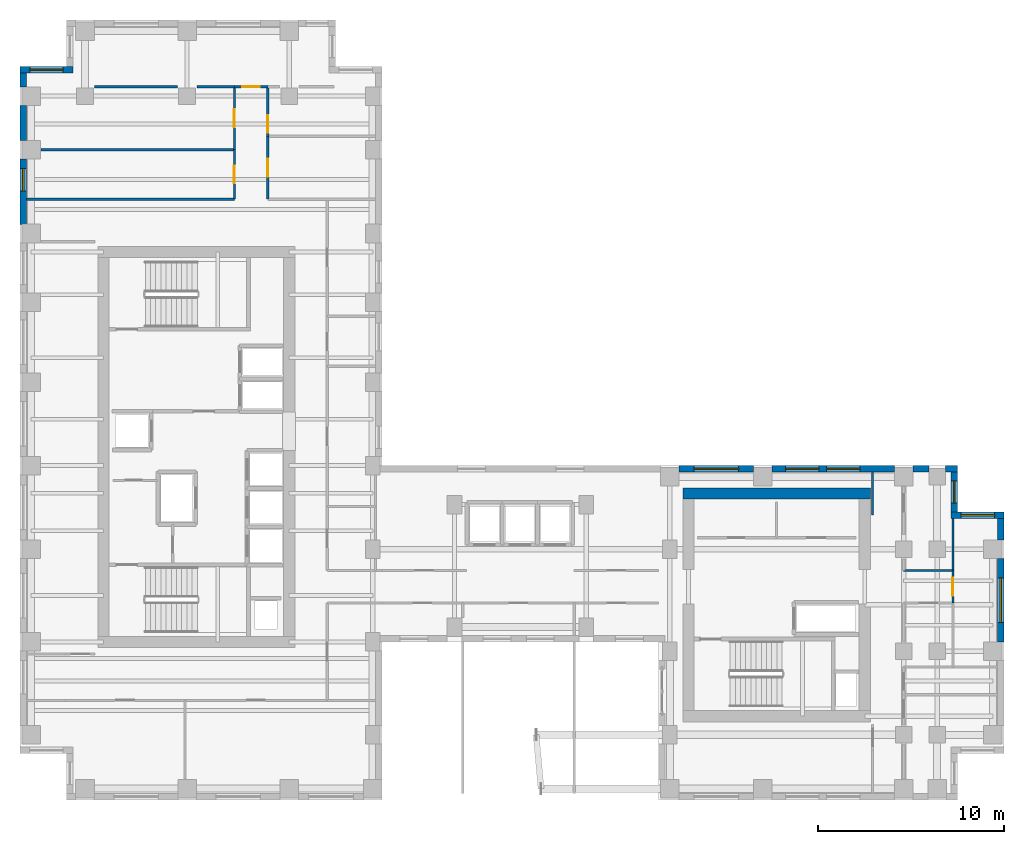
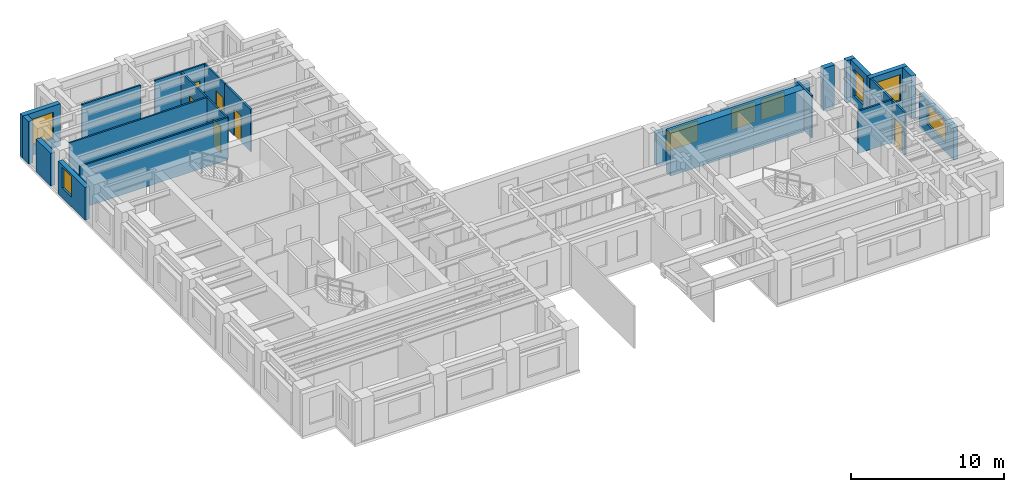
# One storey, part 10 of 13: 26 walls, 8 windows, 6 doors, 14 openings.
"""IFC4 building model written with IfcOpenShell, lengths in metres."""

from ifc_helpers import new_model, si_unit, direction, frame, frame_2d, origin, place, context, subcontext, project, spatial, rectangle, extrude, source, transform, mapped, material, layer, layer_set, type_object, element, fill, save


model = new_model("IFC4")

# Units and contexts
model_context = context("Model", 3, precision=1e-05, world=origin(), true_north=direction((0.0, 1.0)))
body_context = subcontext(model_context, "Body", "Model", "MODEL_VIEW")
ifc_project = project(units=[si_unit("LENGTHUNIT", "METRE"), si_unit("AREAUNIT", "SQUARE_METRE"), si_unit("VOLUMEUNIT", "CUBIC_METRE"), si_unit("PLANEANGLEUNIT", "RADIAN"), si_unit("MASSUNIT", "GRAM", prefix="KILO")], contexts=[model_context])

# Site, building, storey
site_placement = place(None, origin())
site = spatial("IfcSite", under=ifc_project, at=site_placement, CompositionType="ELEMENT")
building_placement = place(site_placement, origin())
building = spatial("IfcBuilding", under=site, at=building_placement, Name="Kharzan Plaza Tower", CompositionType="ELEMENT")
storey_placement = place(building_placement, frame((0.0, 0.0, 161.10009765625)))
storey = spatial("IfcBuildingStorey", under=building, at=storey_placement, Name="L43", CompositionType="ELEMENT", Elevation=161.10009765625)

# Wall, opening, window
ifc_material_1 = material(Name="Concrete C40/50", Category="concrete")
ifc_layer_1 = layer(ifc_material_1, 0.35009765625)
ifc_layer_set_1 = layer_set([ifc_layer_1], Name="Concrete C40/50")
wall_type_1 = type_object("IfcWallType", Name="WL-EXT-MAS-Z3", PredefinedType="SOLIDWALL", material=ifc_layer_set_1)
wall_1_placement = place(storey_placement, frame((2.85009765625, 39.324951171875, 0.0), z_axis=(0.0, 0.0, 1.0), x_axis=(-1.0, 0.0, 0.0)))
wall_1 = element("IfcWall", 1, at=wall_1_placement, inside=storey, type_object=wall_type_1, Name="L43 Masonry-Frame Exterior Wall 08", PredefinedType="SOLIDWALL", context=body_context, shape_type="SweptSolid", body=[
    extrude(rectangle(XDim=2.85009765625, YDim=0.35009765625, at=frame_2d((1.425048828125, 0.0))), origin(), (0.0, 0.0, 1.0), 3.385009765625),
])
opening_1_placement = place(wall_1_placement, frame((0.52490234375, 0.0, 0.780029296875)))
opening_1 = element("IfcOpeningElement", 2, at=opening_1_placement, cuts=wall_1, Name="Opening W1", PredefinedType="OPENING", context=body_context, shape_type="SweptSolid", body=[
    extrude(rectangle(XDim=1.800048828125, YDim=2.10009765625, at=frame_2d((0.89990234375, 1.050048828125))), frame((0.0, 0.18505859375, 0.0), z_axis=(0.0, -1.0, 0.0), x_axis=(1.0, 0.0, 0.0)), (0.0, 0.0, 1.0), 0.3701171875),
])
ifc_material_2 = material(Name="Low-E Double Glazing", Category="glass")
window_type_1 = type_object("IfcWindowType", Name="WN-REC-1800x2100", PartitioningType="SINGLE_PANEL", PredefinedType="WINDOW", material=ifc_material_2)
shared_shape_1 = source(origin(), body_context, "Body", "SweptSolid", [
    extrude(rectangle(XDim=1.800048828125, YDim=2.10009765625, at=frame_2d((0.89990234375, 1.050048828125))), frame((0.0, 0.030029296875, 0.0), z_axis=(0.0, -1.0, 0.0), x_axis=(1.0, 0.0, 0.0)), (0.0, 0.0, 1.0), 0.06005859375),
])
window_1_placement = place(opening_1_placement, origin())
window_1 = element("IfcWindow", 3, at=window_1_placement, inside=storey, type_object=window_type_1, Name="L43 Recessed Solar-Control Window 08-1", OverallHeight=2.10009765625, OverallWidth=1.800048828125, PartitioningType="SINGLE_PANEL", PredefinedType="WINDOW", context=body_context, shape_type="MappedRepresentation", body=[
    mapped(shared_shape_1, transform((0.0, 0.0, 0.0), x_axis=(1.0, 0.0, 0.0), y_axis=(0.0, 1.0, 0.0), z_axis=(0.0, 0.0, 1.0))),
])
fill(opening_1, window_1)

wall_2_placement = place(storey_placement, frame((0.175048828125, 34.501953125, 0.0), z_axis=(0.0, 0.0, 1.0), x_axis=(0.0, -1.0, 0.0)))
wall_2 = element("IfcWall", 4, at=wall_2_placement, inside=storey, type_object=wall_type_1, Name="L43 Masonry-Frame Exterior Wall 11", PredefinedType="SOLIDWALL", context=body_context, shape_type="SweptSolid", body=[
    extrude(rectangle(XDim=3.50390625, YDim=0.35009765625, at=frame_2d((1.751953125, 0.0))), origin(), (0.0, 0.0, 1.0), 2.61181640625),
])
opening_2_placement = place(wall_2_placement, frame((0.510986328125, 0.0, 0.780029296875)))
opening_2 = element("IfcOpeningElement", 5, at=opening_2_placement, cuts=wall_2, Name="Opening W3", PredefinedType="OPENING", context=body_context, shape_type="SweptSolid", body=[
    extrude(rectangle(XDim=1.199951171875, YDim=1.652099609375, at=frame_2d((0.60009765625, 0.826171875))), frame((0.0, 0.18505859375, 0.0), z_axis=(0.0, -1.0, 0.0), x_axis=(1.0, 0.0, 0.0)), (0.0, 0.0, 1.0), 0.3701171875),
])
window_type_2 = type_object("IfcWindowType", Name="WN-REC-1200x2100", PartitioningType="SINGLE_PANEL", PredefinedType="WINDOW", material=ifc_material_2)
shared_shape_2 = source(origin(), body_context, "Body", "SweptSolid", [
    extrude(rectangle(XDim=1.199951171875, YDim=1.652099609375, at=frame_2d((0.60009765625, 0.826171875))), frame((0.0, 0.030029296875, 0.0), z_axis=(0.0, -1.0, 0.0), x_axis=(1.0, 0.0, 0.0)), (0.0, 0.0, 1.0), 0.06005859375),
])
window_2_placement = place(opening_2_placement, origin())
window_2 = element("IfcWindow", 6, at=window_2_placement, inside=storey, type_object=window_type_2, Name="L43 Recessed Solar-Control Window 11-1", OverallHeight=1.652099609375, OverallWidth=1.199951171875, PartitioningType="SINGLE_PANEL", PredefinedType="WINDOW", context=body_context, shape_type="MappedRepresentation", body=[
    mapped(shared_shape_2, transform((0.0, 0.0, 0.0), x_axis=(1.0, 0.0, 0.0), y_axis=(0.0, 1.0, 0.0), z_axis=(0.0, 0.0, 1.0))),
])
fill(opening_2, window_2)

wall_3_placement = place(storey_placement, frame((52.824951171875, 8.498046875, 0.0), z_axis=(0.0, 0.0, 1.0), x_axis=(0.0, 1.0, 0.0)))
wall_3 = element("IfcWall", 7, at=wall_3_placement, inside=storey, type_object=wall_type_1, Name="L43 Masonry-Frame Exterior Wall 39", PredefinedType="SOLIDWALL", context=body_context, shape_type="SweptSolid", body=[
    extrude(rectangle(XDim=4.50390625, YDim=0.35009765625, at=frame_2d((2.251953125, 0.0))), origin(), (0.0, 0.0, 1.0), 2.61181640625),
])
opening_3_placement = place(wall_3_placement, frame((1.052001953125, 0.0, 0.780029296875)))
opening_3 = element("IfcOpeningElement", 8, at=opening_3_placement, cuts=wall_3, Name="Opening W2", PredefinedType="OPENING", context=body_context, shape_type="SweptSolid", body=[
    extrude(rectangle(XDim=2.39990234375, YDim=1.652099609375, at=frame_2d((1.199951171875, 0.826171875))), frame((0.0, 0.18505859375, 0.0), z_axis=(0.0, -1.0, 0.0), x_axis=(1.0, 0.0, 0.0)), (0.0, 0.0, 1.0), 0.3701171875),
])
window_type_3 = type_object("IfcWindowType", Name="WN-REC-2400x2100", PartitioningType="SINGLE_PANEL", PredefinedType="WINDOW", material=ifc_material_2)
shared_shape_3 = source(origin(), body_context, "Body", "SweptSolid", [
    extrude(rectangle(XDim=2.39990234375, YDim=1.652099609375, at=frame_2d((1.199951171875, 0.826171875))), frame((0.0, 0.030029296875, 0.0), z_axis=(0.0, -1.0, 0.0), x_axis=(1.0, 0.0, 0.0)), (0.0, 0.0, 1.0), 0.06005859375),
])
window_3_placement = place(opening_3_placement, origin())
window_3 = element("IfcWindow", 9, at=window_3_placement, inside=storey, type_object=window_type_3, Name="L43 Wide Recessed Solar-Control Window 39-1", OverallHeight=1.652099609375, OverallWidth=2.39990234375, PartitioningType="SINGLE_PANEL", PredefinedType="WINDOW", context=body_context, shape_type="MappedRepresentation", body=[
    mapped(shared_shape_3, transform((0.0, 0.0, 0.0), x_axis=(1.0, 0.0, 0.0), y_axis=(0.0, 1.0, 0.0), z_axis=(0.0, 0.0, 1.0))),
])
fill(opening_3, window_3)

wall_4_placement = place(storey_placement, frame((53.0, 15.324951171875, 0.0), z_axis=(0.0, 0.0, 1.0), x_axis=(-1.0, 0.0, 0.0)))
wall_4 = element("IfcWall", 10, at=wall_4_placement, inside=storey, type_object=wall_type_1, Name="L43 Masonry-Frame Exterior Wall 41", PredefinedType="SOLIDWALL", context=body_context, shape_type="SweptSolid", body=[
    extrude(rectangle(XDim=2.85009765625, YDim=0.35009765625, at=frame_2d((1.425048828125, 0.0))), origin(), (0.0, 0.0, 1.0), 3.385009765625),
])
opening_4_placement = place(wall_4_placement, frame((0.510009765625, 0.0, 0.780029296875)))
opening_4 = element("IfcOpeningElement", 11, at=opening_4_placement, cuts=wall_4, Name="Opening W1", PredefinedType="OPENING", context=body_context, shape_type="SweptSolid", body=[
    extrude(rectangle(XDim=1.800048828125, YDim=2.10009765625, at=frame_2d((0.89990234375, 1.050048828125))), frame((0.0, 0.18505859375, 0.0), z_axis=(0.0, -1.0, 0.0), x_axis=(1.0, 0.0, 0.0)), (0.0, 0.0, 1.0), 0.3701171875),
])
window_4_placement = place(opening_4_placement, origin())
window_4 = element("IfcWindow", 12, at=window_4_placement, inside=storey, type_object=window_type_1, Name="L43 Recessed Solar-Control Window 41-1", OverallHeight=2.10009765625, OverallWidth=1.800048828125, PartitioningType="SINGLE_PANEL", PredefinedType="WINDOW", context=body_context, shape_type="MappedRepresentation", body=[
    mapped(shared_shape_1, transform((0.0, 0.0, 0.0), x_axis=(1.0, 0.0, 0.0), y_axis=(0.0, 1.0, 0.0), z_axis=(0.0, 0.0, 1.0))),
])
fill(opening_4, window_4)

wall_5_placement = place(storey_placement, frame((50.324951171875, 15.498046875, 0.0), z_axis=(0.0, 0.0, 1.0), x_axis=(0.0, 1.0, 0.0)))
wall_5 = element("IfcWall", 13, at=wall_5_placement, inside=storey, type_object=wall_type_1, Name="L43 Masonry-Frame Exterior Wall 42", PredefinedType="SOLIDWALL", context=body_context, shape_type="SweptSolid", body=[
    extrude(rectangle(XDim=2.154052734375, YDim=0.35009765625, at=frame_2d((1.0771484375, 0.0))), origin(), (0.0, 0.0, 1.0), 3.385009765625),
])
opening_5_placement = place(wall_5_placement, frame((0.47705078125, 0.0, 0.780029296875)))
opening_5 = element("IfcOpeningElement", 14, at=opening_5_placement, cuts=wall_5, Name="Opening W3", PredefinedType="OPENING", context=body_context, shape_type="SweptSolid", body=[
    extrude(rectangle(XDim=1.199951171875, YDim=2.10009765625, at=frame_2d((0.60009765625, 1.050048828125))), frame((0.0, 0.18505859375, 0.0), z_axis=(0.0, -1.0, 0.0), x_axis=(1.0, 0.0, 0.0)), (0.0, 0.0, 1.0), 0.3701171875),
])
shared_shape_4 = source(origin(), body_context, "Body", "SweptSolid", [
    extrude(rectangle(XDim=1.199951171875, YDim=2.10009765625, at=frame_2d((0.60009765625, 1.050048828125))), frame((0.0, 0.030029296875, 0.0), z_axis=(0.0, -1.0, 0.0), x_axis=(1.0, 0.0, 0.0)), (0.0, 0.0, 1.0), 0.06005859375),
])
window_5_placement = place(opening_5_placement, origin())
window_5 = element("IfcWindow", 15, at=window_5_placement, inside=storey, type_object=window_type_2, Name="L43 Recessed Solar-Control Window 42-1", OverallHeight=2.10009765625, OverallWidth=1.199951171875, PartitioningType="SINGLE_PANEL", PredefinedType="WINDOW", context=body_context, shape_type="MappedRepresentation", body=[
    mapped(shared_shape_4, transform((0.0, 0.0, 0.0), x_axis=(1.0, 0.0, 0.0), y_axis=(0.0, 1.0, 0.0), z_axis=(0.0, 0.0, 1.0))),
])
fill(opening_5, window_5)

# Wall, openings, windows
wall_6_placement = place(storey_placement, frame((47.10205078125, 17.824951171875, 0.0), z_axis=(0.0, 0.0, 1.0), x_axis=(-1.0, 0.0, 0.0)))
wall_6 = element("IfcWall", 16, at=wall_6_placement, inside=storey, type_object=wall_type_1, Name="L43 Masonry-Frame Exterior Wall 45", PredefinedType="SOLIDWALL", context=body_context, shape_type="SweptSolid", body=[
    extrude(rectangle(XDim=6.60400390625, YDim=0.35009765625, at=frame_2d((3.302001953125, 0.0))), origin(), (0.0, 0.0, 1.0), 2.61181640625),
])
opening_6_placement = place(wall_6_placement, frame((1.849365234375, 0.0, 0.780029296875)))
opening_6 = element("IfcOpeningElement", 17, at=opening_6_placement, cuts=wall_6, Name="Opening W1", PredefinedType="OPENING", context=body_context, shape_type="SweptSolid", body=[
    extrude(rectangle(XDim=1.800048828125, YDim=1.652099609375, at=frame_2d((0.89990234375, 0.826171875))), frame((0.0, 0.18505859375, 0.0), z_axis=(0.0, -1.0, 0.0), x_axis=(1.0, 0.0, 0.0)), (0.0, 0.0, 1.0), 0.3701171875),
])
opening_7_placement = place(wall_6_placement, frame((4.066650390625, 0.0, 0.780029296875)))
opening_7 = element("IfcOpeningElement", 18, at=opening_7_placement, cuts=wall_6, Name="Opening W1", PredefinedType="OPENING", context=body_context, shape_type="SweptSolid", body=[
    extrude(rectangle(XDim=1.800048828125, YDim=1.652099609375, at=frame_2d((0.89990234375, 0.826171875))), frame((0.0, 0.18505859375, 0.0), z_axis=(0.0, -1.0, 0.0), x_axis=(1.0, 0.0, 0.0)), (0.0, 0.0, 1.0), 0.3701171875),
])
shared_shape_5 = source(origin(), body_context, "Body", "SweptSolid", [
    extrude(rectangle(XDim=1.800048828125, YDim=1.652099609375, at=frame_2d((0.89990234375, 0.826171875))), frame((0.0, 0.030029296875, 0.0), z_axis=(0.0, -1.0, 0.0), x_axis=(1.0, 0.0, 0.0)), (0.0, 0.0, 1.0), 0.06005859375),
])
window_6_placement = place(opening_6_placement, origin())
window_6 = element("IfcWindow", 19, at=window_6_placement, inside=storey, type_object=window_type_1, Name="L43 Recessed Solar-Control Window 45-1", OverallHeight=1.652099609375, OverallWidth=1.800048828125, PartitioningType="SINGLE_PANEL", PredefinedType="WINDOW", context=body_context, shape_type="MappedRepresentation", body=[
    mapped(shared_shape_5, transform((0.0, 0.0, 0.0), x_axis=(1.0, 0.0, 0.0), y_axis=(0.0, 1.0, 0.0), z_axis=(0.0, 0.0, 1.0))),
])
fill(opening_6, window_6)
window_7_placement = place(opening_7_placement, origin())
window_7 = element("IfcWindow", 20, at=window_7_placement, inside=storey, type_object=window_type_1, Name="L43 Recessed Solar-Control Window 45-2", OverallHeight=1.652099609375, OverallWidth=1.800048828125, PartitioningType="SINGLE_PANEL", PredefinedType="WINDOW", context=body_context, shape_type="MappedRepresentation", body=[
    mapped(shared_shape_5, transform((0.0, 0.0, 0.0), x_axis=(1.0, 0.0, 0.0), y_axis=(0.0, 1.0, 0.0), z_axis=(0.0, 0.0, 1.0))),
])
fill(opening_7, window_7)

# Wall, opening, window
wall_7_placement = place(storey_placement, frame((39.501953125, 17.824951171875, 0.0), z_axis=(0.0, 0.0, 1.0), x_axis=(-1.0, 0.0, 0.0)))
wall_7 = element("IfcWall", 21, at=wall_7_placement, inside=storey, type_object=wall_type_1, Name="L43 Masonry-Frame Exterior Wall 46", PredefinedType="SOLIDWALL", context=body_context, shape_type="SweptSolid", body=[
    extrude(rectangle(XDim=4.00390625, YDim=0.35009765625, at=frame_2d((2.001953125, 0.0))), origin(), (0.0, 0.0, 1.0), 2.61181640625),
])
opening_8_placement = place(wall_7_placement, frame((0.802001953125, 0.0, 0.780029296875)))
opening_8 = element("IfcOpeningElement", 22, at=opening_8_placement, cuts=wall_7, Name="Opening W2", PredefinedType="OPENING", context=body_context, shape_type="SweptSolid", body=[
    extrude(rectangle(XDim=2.39990234375, YDim=1.652099609375, at=frame_2d((1.199951171875, 0.826171875))), frame((0.0, 0.18505859375, 0.0), z_axis=(0.0, -1.0, 0.0), x_axis=(1.0, 0.0, 0.0)), (0.0, 0.0, 1.0), 0.3701171875),
])
window_8_placement = place(opening_8_placement, origin())
window_8 = element("IfcWindow", 23, at=window_8_placement, inside=storey, type_object=window_type_3, Name="L43 Wide Recessed Solar-Control Window 46-1", OverallHeight=1.652099609375, OverallWidth=2.39990234375, PartitioningType="SINGLE_PANEL", PredefinedType="WINDOW", context=body_context, shape_type="MappedRepresentation", body=[
    mapped(shared_shape_3, transform((0.0, 0.0, 0.0), x_axis=(1.0, 0.0, 0.0), y_axis=(0.0, 1.0, 0.0), z_axis=(0.0, 0.0, 1.0))),
])
fill(opening_8, window_8)

# Wall, opening, door
ifc_material_3 = material(Name="Fire-Rated Gypsum Board Partition", Category="gypsum")
ifc_layer_2 = layer(ifc_material_3, 0.125)
ifc_layer_set_2 = layer_set([ifc_layer_2], Name="Fire-Rated Gypsum Board Partition")
wall_type_2 = type_object("IfcWallType", Name="WL-INT-PART-125", PredefinedType="PARTITIONING", material=ifc_layer_set_2)
wall_8_placement = place(storey_placement, frame((50.25, 10.60009765625, 0.0), z_axis=(0.0, 0.0, 1.0), x_axis=(0.0, 1.0, 0.0)))
wall_8 = element("IfcWall", 24, at=wall_8_placement, inside=storey, type_object=wall_type_2, Name="L43 Interior Partition SH-B2E2", PredefinedType="PARTITIONING", context=body_context, shape_type="SweptSolid", body=[
    extrude(rectangle(XDim=1.75, YDim=0.125, at=frame_2d((0.875, 0.0))), origin(), (0.0, 0.0, 1.0), 3.385009765625),
])
opening_9_placement = place(wall_8_placement, frame((0.39990234375, 0.0, 0.0)))
opening_9 = element("IfcOpeningElement", 25, at=opening_9_placement, cuts=wall_8, Name="Opening OD1", PredefinedType="OPENING", context=body_context, shape_type="SweptSolid", body=[
    extrude(rectangle(XDim=0.949951171875, YDim=2.14990234375, at=frame_2d((0.47509765625, 1.074951171875))), frame((0.0, 0.072509765625, 0.0), z_axis=(0.0, -1.0, 0.0), x_axis=(1.0, 0.0, 0.0)), (0.0, 0.0, 1.0), 0.14501953125),
])
ifc_material_4 = material(Name="Acoustic Solid-Core Stained Oak", Category="timber")
door_type = type_object("IfcDoorType", Name="DR-OFF-SINGLE", OperationType="NOTDEFINED", PredefinedType="DOOR", material=ifc_material_4)
shared_shape_6 = source(origin(), body_context, "Body", "SweptSolid", [
    extrude(rectangle(XDim=0.949951171875, YDim=2.14990234375, at=frame_2d((0.47509765625, 1.074951171875))), frame((0.0, 0.02490234375, 0.0), z_axis=(0.0, -1.0, 0.0), x_axis=(1.0, 0.0, 0.0)), (0.0, 0.0, 1.0), 0.050048828125),
])
door_1_placement = place(opening_9_placement, origin())
door_1 = element("IfcDoor", 26, at=door_1_placement, inside=storey, type_object=door_type, Name="L43 East Boardroom Door", OperationType="SINGLE_SWING_LEFT", OverallHeight=2.14990234375, OverallWidth=0.949951171875, PredefinedType="DOOR", context=body_context, shape_type="MappedRepresentation", body=[
    mapped(shared_shape_6, transform((0.0, 0.0, 0.0), x_axis=(1.0, 0.0, 0.0), y_axis=(0.0, 1.0, 0.0), z_axis=(0.0, 0.0, 1.0))),
])
fill(opening_9, door_1)

wall_9_placement = place(storey_placement, frame((13.35009765625, 32.35009765625, 0.0), z_axis=(0.0, 0.0, 1.0), x_axis=(0.0, 1.0, 0.0)))
wall_9 = element("IfcWall", 27, at=wall_9_placement, inside=storey, type_object=wall_type_2, Name="L43 Interior Partition SH-SPE-1", PredefinedType="PARTITIONING", context=body_context, shape_type="SweptSolid", body=[
    extrude(rectangle(XDim=3.387939453125, YDim=0.125, at=frame_2d((1.69384765625, 0.0))), origin(), (0.0, 0.0, 1.0), 3.385009765625),
])
opening_10_placement = place(wall_9_placement, frame((1.218994140625, 0.0, 0.0)))
opening_10 = element("IfcOpeningElement", 28, at=opening_10_placement, cuts=wall_9, Name="Opening OD1", PredefinedType="OPENING", context=body_context, shape_type="SweptSolid", body=[
    extrude(rectangle(XDim=0.949951171875, YDim=2.14990234375, at=frame_2d((0.47509765625, 1.074951171875))), frame((0.0, 0.072509765625, 0.0), z_axis=(0.0, -1.0, 0.0), x_axis=(1.0, 0.0, 0.0)), (0.0, 0.0, 1.0), 0.14501953125),
])
door_2_placement = place(opening_10_placement, origin())
door_2 = element("IfcDoor", 29, at=door_2_placement, inside=storey, type_object=door_type, Name="L43 Instrumentation Calibration Lab Door", OperationType="SINGLE_SWING_RIGHT", OverallHeight=2.14990234375, OverallWidth=0.949951171875, PredefinedType="DOOR", context=body_context, shape_type="MappedRepresentation", body=[
    mapped(shared_shape_6, transform((0.0, 0.0, 0.0), x_axis=(1.0, 0.0, 0.0), y_axis=(0.0, 1.0, 0.0), z_axis=(0.0, 0.0, 1.0))),
])
fill(opening_10, door_2)

wall_10_placement = place(storey_placement, frame((13.35009765625, 35.738037109375, 0.0), z_axis=(0.0, 0.0, 1.0), x_axis=(0.0, 1.0, 0.0)))
wall_10 = element("IfcWall", 30, at=wall_10_placement, inside=storey, type_object=wall_type_2, Name="L43 Interior Partition SH-SPE-2", PredefinedType="PARTITIONING", context=body_context, shape_type="SweptSolid", body=[
    extrude(rectangle(XDim=2.661865234375, YDim=0.125, at=frame_2d((1.3310546875, 0.0))), origin(), (0.0, 0.0, 1.0), 3.385009765625),
])
opening_11_placement = place(wall_10_placement, frame((0.179931640625, 0.0, 0.0)))
opening_11 = element("IfcOpeningElement", 31, at=opening_11_placement, cuts=wall_10, Name="Opening OD1", PredefinedType="OPENING", context=body_context, shape_type="SweptSolid", body=[
    extrude(rectangle(XDim=0.949951171875, YDim=2.14990234375, at=frame_2d((0.47509765625, 1.074951171875))), frame((0.0, 0.072509765625, 0.0), z_axis=(0.0, -1.0, 0.0), x_axis=(1.0, 0.0, 0.0)), (0.0, 0.0, 1.0), 0.14501953125),
])
door_3_placement = place(opening_11_placement, origin())
door_3 = element("IfcDoor", 32, at=door_3_placement, inside=storey, type_object=door_type, Name="L43 Research Engineering Office Door", OperationType="SINGLE_SWING_LEFT", OverallHeight=2.14990234375, OverallWidth=0.949951171875, PredefinedType="DOOR", context=body_context, shape_type="MappedRepresentation", body=[
    mapped(shared_shape_6, transform((0.0, 0.0, 0.0), x_axis=(1.0, 0.0, 0.0), y_axis=(0.0, 1.0, 0.0), z_axis=(0.0, 0.0, 1.0))),
])
fill(opening_11, door_3)

wall_11_placement = place(storey_placement, frame((11.550048828125, 38.39990234375, 0.0), z_axis=(0.0, 0.0, 1.0), x_axis=(1.0, 0.0, 0.0)))
wall_11 = element("IfcWall", 33, at=wall_11_placement, inside=storey, type_object=wall_type_2, Name="L43 Interior Partition SH-SPHD", PredefinedType="PARTITIONING", context=body_context, shape_type="SweptSolid", body=[
    extrude(rectangle(XDim=1.800048828125, YDim=0.125, at=frame_2d((0.89990234375, 0.0))), origin(), (0.0, 0.0, 1.0), 3.385009765625),
])
opening_12_placement = place(wall_11_placement, frame((0.425048828125, 0.0, 0.0)))
opening_12 = element("IfcOpeningElement", 34, at=opening_12_placement, cuts=wall_11, Name="Opening OD1", PredefinedType="OPENING", context=body_context, shape_type="SweptSolid", body=[
    extrude(rectangle(XDim=0.949951171875, YDim=2.14990234375, at=frame_2d((0.47509765625, 1.074951171875))), frame((0.0, 0.072509765625, 0.0), z_axis=(0.0, -1.0, 0.0), x_axis=(1.0, 0.0, 0.0)), (0.0, 0.0, 1.0), 0.14501953125),
])
door_4_placement = place(opening_12_placement, origin())
door_4 = element("IfcDoor", 35, at=door_4_placement, inside=storey, type_object=door_type, Name="L43 North Boardroom Door", OperationType="SINGLE_SWING_RIGHT", OverallHeight=2.14990234375, OverallWidth=0.949951171875, PredefinedType="DOOR", context=body_context, shape_type="MappedRepresentation", body=[
    mapped(shared_shape_6, transform((0.0, 0.0, 0.0), x_axis=(1.0, 0.0, 0.0), y_axis=(0.0, 1.0, 0.0), z_axis=(0.0, 0.0, 1.0))),
])
fill(opening_12, door_4)

wall_12_placement = place(storey_placement, frame((11.550048828125, 32.35009765625, 0.0), z_axis=(0.0, 0.0, 1.0), x_axis=(0.0, 1.0, 0.0)))
wall_12 = element("IfcWall", 36, at=wall_12_placement, inside=storey, type_object=wall_type_2, Name="L43 Interior Partition SH-SPW-1", PredefinedType="PARTITIONING", context=body_context, shape_type="SweptSolid", body=[
    extrude(rectangle(XDim=2.661865234375, YDim=0.125, at=frame_2d((1.3310546875, 0.0))), origin(), (0.0, 0.0, 1.0), 3.385009765625),
])
opening_13_placement = place(wall_12_placement, frame((0.85595703125, 0.0, 0.0)))
opening_13 = element("IfcOpeningElement", 37, at=opening_13_placement, cuts=wall_12, Name="Opening OD1", PredefinedType="OPENING", context=body_context, shape_type="SweptSolid", body=[
    extrude(rectangle(XDim=0.949951171875, YDim=2.14990234375, at=frame_2d((0.47509765625, 1.074951171875))), frame((0.0, 0.072509765625, 0.0), z_axis=(0.0, -1.0, 0.0), x_axis=(1.0, 0.0, 0.0)), (0.0, 0.0, 1.0), 0.14501953125),
])
door_5_placement = place(opening_13_placement, origin())
door_5 = element("IfcDoor", 38, at=door_5_placement, inside=storey, type_object=door_type, Name="L43 Hydrodynamics Computing Lab Door", OperationType="SINGLE_SWING_RIGHT", OverallHeight=2.14990234375, OverallWidth=0.949951171875, PredefinedType="DOOR", context=body_context, shape_type="MappedRepresentation", body=[
    mapped(shared_shape_6, transform((0.0, 0.0, 0.0), x_axis=(1.0, 0.0, 0.0), y_axis=(0.0, 1.0, 0.0), z_axis=(0.0, 0.0, 1.0))),
])
fill(opening_13, door_5)

wall_13_placement = place(storey_placement, frame((11.550048828125, 35.011962890625, 0.0), z_axis=(0.0, 0.0, 1.0), x_axis=(0.0, 1.0, 0.0)))
wall_13 = element("IfcWall", 39, at=wall_13_placement, inside=storey, type_object=wall_type_2, Name="L43 Interior Partition SH-SPW-2", PredefinedType="PARTITIONING", context=body_context, shape_type="SweptSolid", body=[
    extrude(rectangle(XDim=3.387939453125, YDim=0.125, at=frame_2d((1.69384765625, 0.0))), origin(), (0.0, 0.0, 1.0), 3.385009765625),
])
opening_14_placement = place(wall_13_placement, frame((1.218994140625, 0.0, 0.0)))
opening_14 = element("IfcOpeningElement", 40, at=opening_14_placement, cuts=wall_13, Name="Opening OD1", PredefinedType="OPENING", context=body_context, shape_type="SweptSolid", body=[
    extrude(rectangle(XDim=0.949951171875, YDim=2.14990234375, at=frame_2d((0.47509765625, 1.074951171875))), frame((0.0, 0.072509765625, 0.0), z_axis=(0.0, -1.0, 0.0), x_axis=(1.0, 0.0, 0.0)), (0.0, 0.0, 1.0), 0.14501953125),
])
door_6_placement = place(opening_14_placement, origin())
door_6 = element("IfcDoor", 41, at=door_6_placement, inside=storey, type_object=door_type, Name="L43 Hydrodynamics Computing Lab Door", OperationType="SINGLE_SWING_LEFT", OverallHeight=2.14990234375, OverallWidth=0.949951171875, PredefinedType="DOOR", context=body_context, shape_type="MappedRepresentation", body=[
    mapped(shared_shape_6, transform((0.0, 0.0, 0.0), x_axis=(1.0, 0.0, 0.0), y_axis=(0.0, 1.0, 0.0), z_axis=(0.0, 0.0, 1.0))),
])
fill(opening_14, door_6)

# Walls
ifc_material_5 = material(Name="Concrete C50/60", Category="concrete")
ifc_layer_3 = layer(ifc_material_5, 0.60009765625)
ifc_layer_set_3 = layer_set([ifc_layer_3], Name="Concrete C50/60")
wall_type_3 = type_object("IfcWallType", Name="WL-CORE-600", PredefinedType="SHEAR", material=ifc_layer_set_3)
shared_shape_7 = source(origin(), body_context, "Body", "SweptSolid", [
    extrude(rectangle(XDim=10.10009765625, YDim=0.60009765625, at=frame_2d((5.050048828125, 0.0))), origin(), (0.0, 0.0, 1.0), 3.39990234375),
])
wall_14_placement = place(storey_placement, frame((35.699951171875, 16.5, 0.0), z_axis=(0.0, 0.0, 1.0), x_axis=(1.0, 0.0, 0.0)))
element("IfcWall", 42, at=wall_14_placement, inside=storey, type_object=wall_type_3, Name="L43 CORE-B north RC shear wall", PredefinedType="SHEAR", context=body_context, shape_type="MappedRepresentation", body=[
    mapped(shared_shape_7, transform((0.0, 0.0, 0.0), x_axis=(1.0, 0.0, 0.0), y_axis=(0.0, 1.0, 0.0), z_axis=(0.0, 0.0, 1.0))),
])
shared_shape_8 = source(origin(), body_context, "Body", "SweptSolid", [
    extrude(rectangle(XDim=0.754150390625, YDim=0.35009765625, at=frame_2d((0.376953125, 0.0))), origin(), (0.0, 0.0, 1.0), 3.385009765625),
])
wall_15_placement = place(storey_placement, frame((0.175048828125, 39.152099609375, 0.0), z_axis=(0.0, 0.0, 1.0), x_axis=(0.0, -1.0, 0.0)))
element("IfcWall", 43, at=wall_15_placement, inside=storey, type_object=wall_type_1, Name="L43 Masonry-Frame Exterior Wall 09", PredefinedType="SOLIDWALL", context=body_context, shape_type="MappedRepresentation", body=[
    mapped(shared_shape_8, transform((0.0, 0.0, 0.0), x_axis=(1.0, 0.0, 0.0), y_axis=(0.0, 1.0, 0.0), z_axis=(0.0, 0.0, 1.0))),
])
shared_shape_9 = source(origin(), body_context, "Body", "SweptSolid", [
    extrude(rectangle(XDim=1.904052734375, YDim=0.35009765625, at=frame_2d((0.9521484375, 0.0))), origin(), (0.0, 0.0, 1.0), 2.61181640625),
])
wall_16_placement = place(storey_placement, frame((0.175048828125, 37.402099609375, 0.0), z_axis=(0.0, 0.0, 1.0), x_axis=(0.0, -1.0, 0.0)))
element("IfcWall", 44, at=wall_16_placement, inside=storey, type_object=wall_type_1, Name="L43 Masonry-Frame Exterior Wall 10", PredefinedType="SOLIDWALL", context=body_context, shape_type="MappedRepresentation", body=[
    mapped(shared_shape_9, transform((0.0, 0.0, 0.0), x_axis=(1.0, 0.0, 0.0), y_axis=(0.0, 1.0, 0.0), z_axis=(0.0, 0.0, 1.0))),
])
shared_shape_10 = source(origin(), body_context, "Body", "SweptSolid", [
    extrude(rectangle(XDim=1.154052734375, YDim=0.35009765625, at=frame_2d((0.5771484375, 0.0))), origin(), (0.0, 0.0, 1.0), 3.385009765625),
])
wall_17_placement = place(storey_placement, frame((52.824951171875, 13.998046875, 0.0), z_axis=(0.0, 0.0, 1.0), x_axis=(0.0, 1.0, 0.0)))
element("IfcWall", 45, at=wall_17_placement, inside=storey, type_object=wall_type_1, Name="L43 Masonry-Frame Exterior Wall 40", PredefinedType="SOLIDWALL", context=body_context, shape_type="MappedRepresentation", body=[
    mapped(shared_shape_10, transform((0.0, 0.0, 0.0), x_axis=(1.0, 0.0, 0.0), y_axis=(0.0, 1.0, 0.0), z_axis=(0.0, 0.0, 1.0))),
])
shared_shape_11 = source(origin(), body_context, "Body", "SweptSolid", [
    extrude(rectangle(XDim=0.652099609375, YDim=0.35009765625, at=frame_2d((0.326171875, 0.0))), origin(), (0.0, 0.0, 1.0), 3.385009765625),
])
wall_18_placement = place(storey_placement, frame((50.5, 17.824951171875, 0.0), z_axis=(0.0, 0.0, 1.0), x_axis=(-1.0, 0.0, 0.0)))
element("IfcWall", 46, at=wall_18_placement, inside=storey, type_object=wall_type_1, Name="L43 Masonry-Frame Exterior Wall 43", PredefinedType="SOLIDWALL", context=body_context, shape_type="MappedRepresentation", body=[
    mapped(shared_shape_11, transform((0.0, 0.0, 0.0), x_axis=(1.0, 0.0, 0.0), y_axis=(0.0, 1.0, 0.0), z_axis=(0.0, 0.0, 1.0))),
])
shared_shape_12 = source(origin(), body_context, "Body", "SweptSolid", [
    extrude(rectangle(XDim=0.85400390625, YDim=0.35009765625, at=frame_2d((0.427001953125, 0.0))), origin(), (0.0, 0.0, 1.0), 3.385009765625),
])
wall_19_placement = place(storey_placement, frame((48.951904296875, 17.824951171875, 0.0), z_axis=(0.0, 0.0, 1.0), x_axis=(-1.0, 0.0, 0.0)))
element("IfcWall", 47, at=wall_19_placement, inside=storey, type_object=wall_type_1, Name="L43 Masonry-Frame Exterior Wall 44", PredefinedType="SOLIDWALL", context=body_context, shape_type="MappedRepresentation", body=[
    mapped(shared_shape_12, transform((0.0, 0.0, 0.0), x_axis=(1.0, 0.0, 0.0), y_axis=(0.0, 1.0, 0.0), z_axis=(0.0, 0.0, 1.0))),
])
shared_shape_13 = source(origin(), body_context, "Body", "SweptSolid", [
    extrude(rectangle(XDim=2.2978515625, YDim=0.125, at=frame_2d((1.14892578125, 0.0))), origin(), (0.0, 0.0, 1.0), 3.385009765625),
])
wall_20_placement = place(storey_placement, frame((45.919921875, 15.35009765625, 0.0), z_axis=(0.0, 0.0, 1.0), x_axis=(0.0, 1.0, 0.0)))
element("IfcWall", 48, at=wall_20_placement, inside=storey, type_object=wall_type_2, Name="L43 Interior Partition SH-RBNE0", PredefinedType="PARTITIONING", context=body_context, shape_type="MappedRepresentation", body=[
    mapped(shared_shape_13, transform((0.0, 0.0, 0.0), x_axis=(1.0, 0.0, 0.0), y_axis=(0.0, 1.0, 0.0), z_axis=(0.0, 0.0, 1.0))),
])
shared_shape_14 = source(origin(), body_context, "Body", "SweptSolid", [
    extrude(rectangle(XDim=2.64990234375, YDim=0.125, at=frame_2d((1.324951171875, 0.0))), origin(), (0.0, 0.0, 1.0), 3.385009765625),
])
wall_21_placement = place(storey_placement, frame((47.60009765625, 12.35009765625, 0.0), z_axis=(0.0, 0.0, 1.0), x_axis=(1.0, 0.0, 0.0)))
element("IfcWall", 49, at=wall_21_placement, inside=storey, type_object=wall_type_2, Name="L43 Interior Partition SH-B2N3", PredefinedType="PARTITIONING", context=body_context, shape_type="MappedRepresentation", body=[
    mapped(shared_shape_14, transform((0.0, 0.0, 0.0), x_axis=(1.0, 0.0, 0.0), y_axis=(0.0, 1.0, 0.0), z_axis=(0.0, 0.0, 1.0))),
])
shared_shape_15 = source(origin(), body_context, "Body", "SweptSolid", [
    extrude(rectangle(XDim=2.7978515625, YDim=0.125, at=frame_2d((1.39892578125, 0.0))), origin(), (0.0, 0.0, 1.0), 3.385009765625),
])
wall_22_placement = place(storey_placement, frame((50.25, 12.35009765625, 0.0), z_axis=(0.0, 0.0, 1.0), x_axis=(0.0, 1.0, 0.0)))
element("IfcWall", 50, at=wall_22_placement, inside=storey, type_object=wall_type_2, Name="L43 Interior Partition SH-B2V2", PredefinedType="PARTITIONING", context=body_context, shape_type="MappedRepresentation", body=[
    mapped(shared_shape_15, transform((0.0, 0.0, 0.0), x_axis=(1.0, 0.0, 0.0), y_axis=(0.0, 1.0, 0.0), z_axis=(0.0, 0.0, 1.0))),
])
shared_shape_16 = source(origin(), body_context, "Body", "SweptSolid", [
    extrude(rectangle(XDim=11.197998046875, YDim=0.125, at=frame_2d((5.59912109375, 0.0))), origin(), (0.0, 0.0, 1.0), 3.385009765625),
])
wall_23_placement = place(storey_placement, frame((0.35205078125, 32.35009765625, 0.0), z_axis=(0.0, 0.0, 1.0), x_axis=(1.0, 0.0, 0.0)))
element("IfcWall", 51, at=wall_23_placement, inside=storey, type_object=wall_type_2, Name="L43 Interior Partition SH-NNW", PredefinedType="PARTITIONING", context=body_context, shape_type="MappedRepresentation", body=[
    mapped(shared_shape_16, transform((0.0, 0.0, 0.0), x_axis=(1.0, 0.0, 0.0), y_axis=(0.0, 1.0, 0.0), z_axis=(0.0, 0.0, 1.0))),
])
shared_shape_17 = source(origin(), body_context, "Body", "SweptSolid", [
    extrude(rectangle(XDim=10.429931640625, YDim=0.125, at=frame_2d((5.21484375, 0.0))), origin(), (0.0, 0.0, 1.0), 3.385009765625),
])
wall_24_placement = place(storey_placement, frame((1.1201171875, 35.011962890625, 0.0), z_axis=(0.0, 0.0, 1.0), x_axis=(1.0, 0.0, 0.0)))
element("IfcWall", 52, at=wall_24_placement, inside=storey, type_object=wall_type_2, Name="L43 Interior Partition SH-NWH-1", PredefinedType="PARTITIONING", context=body_context, shape_type="MappedRepresentation", body=[
    mapped(shared_shape_17, transform((0.0, 0.0, 0.0), x_axis=(1.0, 0.0, 0.0), y_axis=(0.0, 1.0, 0.0), z_axis=(0.0, 0.0, 1.0))),
])
shared_shape_18 = source(origin(), body_context, "Body", "SweptSolid", [
    extrude(rectangle(XDim=4.4599609375, YDim=0.125, at=frame_2d((2.22998046875, 0.0))), origin(), (0.0, 0.0, 1.0), 3.385009765625),
])
wall_25_placement = place(storey_placement, frame((4.02001953125, 38.39990234375, 0.0), z_axis=(0.0, 0.0, 1.0), x_axis=(1.0, 0.0, 0.0)))
element("IfcWall", 53, at=wall_25_placement, inside=storey, type_object=wall_type_2, Name="L43 Interior Partition SH-SPHW-S1", PredefinedType="PARTITIONING", context=body_context, shape_type="MappedRepresentation", body=[
    mapped(shared_shape_18, transform((0.0, 0.0, 0.0), x_axis=(1.0, 0.0, 0.0), y_axis=(0.0, 1.0, 0.0), z_axis=(0.0, 0.0, 1.0))),
])
shared_shape_19 = source(origin(), body_context, "Body", "SweptSolid", [
    extrude(rectangle(XDim=2.030029296875, YDim=0.125, at=frame_2d((1.01513671875, 0.0))), origin(), (0.0, 0.0, 1.0), 3.385009765625),
])
wall_26_placement = place(storey_placement, frame((9.52001953125, 38.39990234375, 0.0), z_axis=(0.0, 0.0, 1.0), x_axis=(1.0, 0.0, 0.0)))
element("IfcWall", 54, at=wall_26_placement, inside=storey, type_object=wall_type_2, Name="L43 Interior Partition SH-SPHW-S2", PredefinedType="PARTITIONING", context=body_context, shape_type="MappedRepresentation", body=[
    mapped(shared_shape_19, transform((0.0, 0.0, 0.0), x_axis=(1.0, 0.0, 0.0), y_axis=(0.0, 1.0, 0.0), z_axis=(0.0, 0.0, 1.0))),
])

save(model, "model.ifc")
